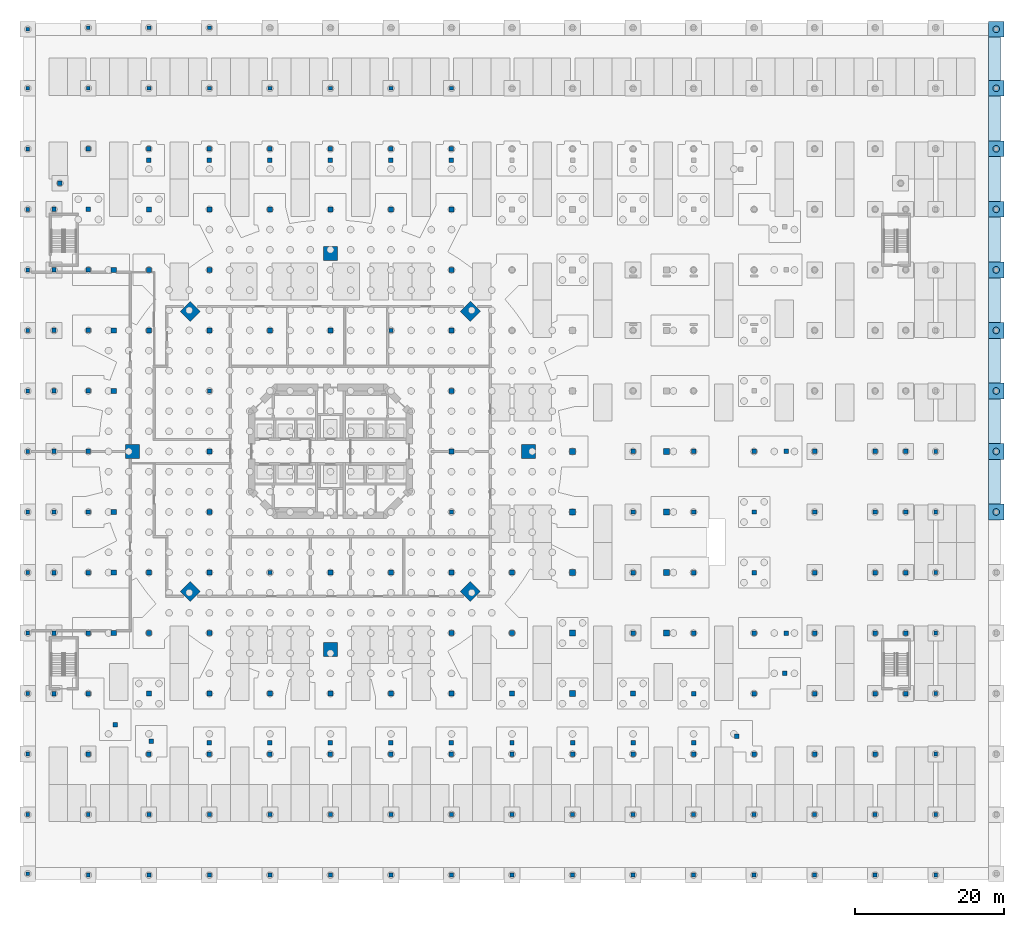
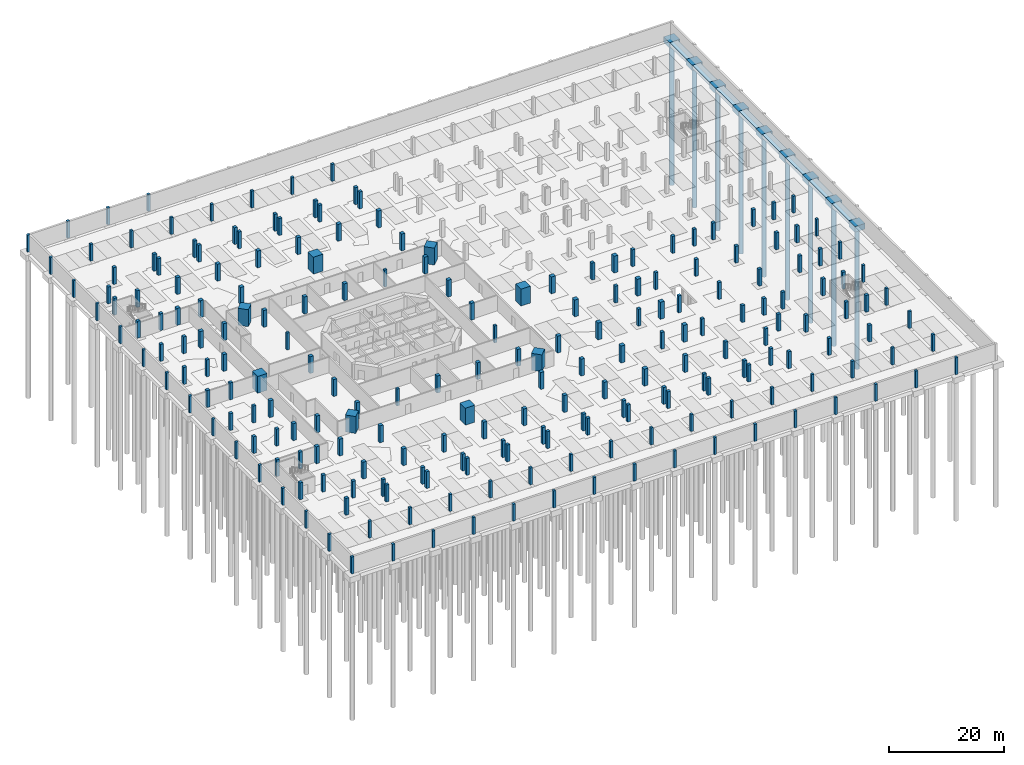
# One storey, part 8 of 23: 214 columns, 17 footings, 9 piles.
"""IFC4 building model written with IfcOpenShell, lengths in metres."""

import ifcopenshell
import ifcopenshell.guid

model = None  # the IFC model being written
_history = None  # IfcOwnerHistory: only IFC2X3 demands one
_inside = {}  # id of a spatial element -> (the spatial element, [elements in it])
_under = {}  # id of a project, library or spatial element -> (it, [spatial elements below it])
_declared = {}  # id of a project -> (the project, [libraries it declares])
_typed = {}  # id of a type object -> (the type object, [elements of that type])
_made_of = {}  # id of a material, layer set ... -> (it, [elements and type objects made of it])


def new_model(schema):
    """Start an empty IFC model of exactly this schema.

    Asked for "IFC4X3", IfcOpenShell would pick the latest addendum, in which some entities
    have other attributes; the version numbers below select the first issue.
    IFC2X3 requires an IfcOwnerHistory on every rooted entity: one is made here for all.
    """
    global model, _history
    if schema == "IFC4X3":
        model = ifcopenshell.file(schema_version=(4, 3, 0, 0))
    else:
        model = ifcopenshell.file(schema=schema)
    _inside.clear()
    _under.clear()
    _declared.clear()
    _typed.clear()
    _made_of.clear()
    _history = None
    if model.schema == "IFC2X3":
        org = make("IfcOrganization", Name="unknown")
        user = make(
            "IfcPersonAndOrganization",
            ThePerson=make("IfcPerson", FamilyName="unknown"),
            TheOrganization=org,
        )
        app = make(
            "IfcApplication",
            ApplicationDeveloper=org,
            Version="unknown",
            ApplicationFullName="unknown",
            ApplicationIdentifier="unknown",
        )
        _history = make(
            "IfcOwnerHistory",
            OwningUser=user,
            OwningApplication=app,
            ChangeAction="ADDED",
            CreationDate=0,
        )
    return model


def make(cls, **values):
    """One entity of the class cls with the attributes given. An attribute that is None is left unset."""
    return model.create_entity(
        cls, **{name: value for name, value in values.items() if value is not None}
    )


def rooted(cls, **values):
    """An entity with a GlobalId (a new one), such as an element, a storey or a relation."""
    return make(cls, GlobalId=ifcopenshell.guid.new(), OwnerHistory=_history, **values)


def si_unit(unit_type, name, prefix=None):
    """IfcSIUnit, for example si_unit("LENGTHUNIT", "METRE", prefix="MILLI")."""
    return make("IfcSIUnit", UnitType=unit_type, Prefix=prefix, Name=name)


def assignment(units):
    """IfcUnitAssignment: the units of a project."""
    return None if units is None else make("IfcUnitAssignment", Units=units)


def point(xyz):
    """IfcCartesianPoint."""
    return None if xyz is None else make("IfcCartesianPoint", Coordinates=xyz)


def direction(xyz):
    """IfcDirection."""
    return None if xyz is None else make("IfcDirection", DirectionRatios=xyz)


def frame(location, z_axis=None, x_axis=None):
    """IfcAxis2Placement3D, a coordinate frame: its origin and axes. An axis left out is left unset."""
    return make(
        "IfcAxis2Placement3D",
        Location=point(location),
        Axis=direction(z_axis),
        RefDirection=direction(x_axis),
    )


def frame_2d(location, x_axis=None):
    """IfcAxis2Placement2D, a coordinate frame in the plane: its origin and x axis."""
    return make(
        "IfcAxis2Placement2D", Location=point(location), RefDirection=direction(x_axis)
    )


def origin():
    """The frame at (0, 0, 0) with its axes left unset."""
    return frame((0.0, 0.0, 0.0))


def origin_2d():
    """The frame at (0, 0) in the plane with its x axis left unset."""
    return frame_2d((0.0, 0.0))


def place(relative_to, where):
    """IfcLocalPlacement: puts the frame where relative to a parent placement (None: the world)."""
    return make(
        "IfcLocalPlacement", PlacementRelTo=relative_to, RelativePlacement=where
    )


def context(
    kind, dimensions, precision=None, world=None, true_north=None, identifier=None
):
    """IfcGeometricRepresentationContext, for example the 3D "Model" context."""
    return make(
        "IfcGeometricRepresentationContext",
        ContextIdentifier=identifier,
        ContextType=kind,
        CoordinateSpaceDimension=dimensions,
        Precision=precision,
        WorldCoordinateSystem=world,
        TrueNorth=true_north,
    )


def subcontext(parent, identifier, kind, view, scale=None):
    """IfcGeometricRepresentationSubContext, for example "Body" below "Model"."""
    return make(
        "IfcGeometricRepresentationSubContext",
        ContextIdentifier=identifier,
        ContextType=kind,
        ParentContext=parent,
        TargetScale=scale,
        TargetView=view,
    )


def project(units=None, contexts=None):
    """IfcProject with its units and contexts."""
    return rooted(
        "IfcProject",
        Name="project",
        RepresentationContexts=contexts,
        UnitsInContext=assignment(units),
    )


def spatial(cls, under=None, at=None, **own):
    """A site, building, storey or space (cls), placed at a placement, below another one or the project."""
    s = rooted(cls, ObjectPlacement=at, **own)
    if under is not None:
        _under.setdefault(under.id(), (under, []))[1].append(s)
    return s


def polyline(points):
    """IfcPolyline through the points."""
    return make("IfcPolyline", Points=[point(p) for p in points])


def profile(cls, at=None, kind="AREA", **sizes):
    """A parametric profile (cls). Its sizes go by their IFC names, for example OverallWidth=200.0."""
    return make(cls, ProfileType=kind, Position=at, **sizes)


def rectangle(**sizes):
    """IfcRectangleProfileDef."""
    return profile("IfcRectangleProfileDef", **sizes)


def circle(**sizes):
    """IfcCircleProfileDef."""
    return profile("IfcCircleProfileDef", **sizes)


def outline(outer, holes=None, kind="AREA"):
    """IfcArbitraryClosedProfileDef: a profile drawn as a closed curve; with holes, ...WithVoids."""
    if holes is None:
        return make("IfcArbitraryClosedProfileDef", ProfileType=kind, OuterCurve=outer)
    return make(
        "IfcArbitraryProfileDefWithVoids",
        ProfileType=kind,
        OuterCurve=outer,
        InnerCurves=holes,
    )


def extrude(swept, where, along, depth):
    """IfcExtrudedAreaSolid: the profile swept, set in the frame where, extruded along a direction by depth."""
    return make(
        "IfcExtrudedAreaSolid",
        SweptArea=swept,
        Position=where,
        ExtrudedDirection=direction(along),
        Depth=depth,
    )


def shape(context_of_items, identifier, shape_type, items):
    """IfcShapeRepresentation: the items that make up one representation, for example the "Body"."""
    return make(
        "IfcShapeRepresentation",
        ContextOfItems=context_of_items,
        RepresentationIdentifier=identifier,
        RepresentationType=shape_type,
        Items=items,
    )


def material(Name=None, Category=None):
    """IfcMaterial."""
    return make("IfcMaterial", Name=Name, Category=Category)


def material_profile(
    of_material, cross_section, Name=None, Category=None, Priority=None
):
    """IfcMaterialProfile: a cross section and its material."""
    return make(
        "IfcMaterialProfile",
        Name=Name,
        Material=of_material,
        Profile=cross_section,
        Priority=Priority,
        Category=Category,
    )


def profile_set(profiles, Name=None, composite=None):
    """IfcMaterialProfileSet."""
    return make(
        "IfcMaterialProfileSet",
        Name=Name,
        MaterialProfiles=profiles,
        CompositeProfile=composite,
    )


def made_of(thing, what):
    """Note that an element or type object is made of a material, layer set ...; save() writes the relation."""
    if what is not None:
        _made_of.setdefault(what.id(), (what, []))[1].append(thing)
    return thing


def type_object(cls, material=None, **own):
    """A type object (cls), such as IfcWallType, which elements share."""
    return made_of(rooted(cls, **own), material)


def element(
    cls,
    number,
    at=None,
    inside=None,
    cuts=None,
    type_object=None,
    material=None,
    context=None,
    identifier="Body",
    shape_type=None,
    held_by="IfcProductDefinitionShape",
    body=None,
    shapes=None,
    **own,
):
    """One element of the class cls, such as IfcWall. Its Tag is "e" and its number.

    at: its placement. inside: the storey or other place that contains it. cuts: it is an
    opening in that element (IfcRelVoidsElement). A single representation is given by context,
    identifier, shape_type and body (its items); several are given by shapes. held_by: the class
    of the entity that holds the representations. save() writes the other relations.
    """
    e = rooted(cls, Tag="e%d" % number, ObjectPlacement=at, **own)
    if body is not None:
        shapes = [shape(context, identifier, shape_type, body)]
    if shapes is not None:
        e.Representation = make(held_by, Representations=shapes)
    if inside is not None:
        _inside.setdefault(inside.id(), (inside, []))[1].append(e)
    if cuts is not None:
        rooted(
            "IfcRelVoidsElement", RelatingBuildingElement=cuts, RelatedOpeningElement=e
        )
    if type_object is not None:
        _typed.setdefault(type_object.id(), (type_object, []))[1].append(e)
    return made_of(e, material)


def aggregate(whole, parts):
    """IfcRelAggregates: a whole, such as a stair, and the parts it consists of."""
    return rooted("IfcRelAggregates", RelatingObject=whole, RelatedObjects=parts)


def save(model, path):
    """Write the relations noted so far, then the file.

    IfcRelAggregates (storeys below a building ...), IfcRelContainedInSpatialStructure (elements
    in a storey), IfcRelDefinesByType, IfcRelAssociatesMaterial and IfcRelDeclares: one each for
    every whole, place, type object, material and project.
    """
    for whole, parts in _under.values():
        aggregate(whole, parts)
    for where, things in _inside.values():
        rooted(
            "IfcRelContainedInSpatialStructure",
            RelatedElements=things,
            RelatingStructure=where,
        )
    for kind, things in _typed.values():
        rooted("IfcRelDefinesByType", RelatedObjects=things, RelatingType=kind)
    for what, things in _made_of.values():
        rooted("IfcRelAssociatesMaterial", RelatedObjects=things, RelatingMaterial=what)
    for by, libraries in _declared.values():
        rooted("IfcRelDeclares", RelatingContext=by, RelatedDefinitions=libraries)
    model.write(path)


model = new_model("IFC4")

# Units and contexts
model_context = context("Model", 3, precision=1e-05, world=origin(), true_north=direction((0.0, 1.0)))
body_context = subcontext(model_context, "Body", "Model", "MODEL_VIEW")
ifc_project = project(units=[si_unit("LENGTHUNIT", "METRE"), si_unit("AREAUNIT", "SQUARE_METRE"), si_unit("VOLUMEUNIT", "CUBIC_METRE"), si_unit("PLANEANGLEUNIT", "RADIAN"), si_unit("MASSUNIT", "GRAM", prefix="KILO")], contexts=[model_context])

# Site, building, storey
site_placement = place(None, origin())
site = spatial("IfcSite", under=ifc_project, at=site_placement, CompositionType="ELEMENT")
building_placement = place(site_placement, origin())
building = spatial("IfcBuilding", under=site, at=building_placement, Name="Torre Triforio", CompositionType="ELEMENT")
storey_placement = place(building_placement, frame((0.0, 0.0, -10.800048828125)))
storey = spatial("IfcBuildingStorey", under=building, at=storey_placement, Name="B3", CompositionType="ELEMENT", Elevation=-10.800048828125)

# Piles
ifc_material_1 = material(Name="Concrete C35", Category="concrete")
ifc_material_profile_1 = material_profile(ifc_material_1, circle(Radius=0.449951171875, at=origin_2d()), Name="RC D900")
ifc_profile_set_1 = profile_set([ifc_material_profile_1], Name="Concrete C35")
pile_type = type_object("IfcPileType", Name="Bored pile D900 C35", PredefinedType="BORED", material=ifc_profile_set_1)
for number, where, z_axis, x_axis, name in (
    (1, (89.10009765625, -8.10009765625, -1.099853515625), (0.0, 0.0, -1.0), (1.0, 0.0, 0.0), "PL.PC.097.1"),
    (2, (89.10009765625, 0.0, -1.099853515625), (0.0, 0.0, -1.0), (1.0, 0.0, 0.0), "PL.PC.107.1"),
    (3, (89.10009765625, 8.10009765625, -1.099853515625), (0.0, 0.0, -1.0), (1.0, 0.0, 0.0), "PL.PC.117.1"),
    (4, (89.10009765625, 16.199951171875, -1.099853515625), (0.0, 0.0, -1.0), (1.0, 0.0, 0.0), "PL.PC.127.1"),
    (5, (89.10009765625, 24.300048828125, -1.099853515625), (0.0, 0.0, -1.0), (1.0, 0.0, 0.0), "PL.PC.139.1"),
    (6, (89.10009765625, 32.39990234375, -1.099853515625), (0.0, 0.0, -1.0), (1.0, 0.0, 0.0), "PL.PC.153.1"),
    (7, (89.10009765625, 40.5, -1.099853515625), (0.0, 0.0, -1.0), (1.0, 0.0, 0.0), "PL.PC.172.1"),
    (8, (89.10009765625, 48.60009765625, -1.099853515625), (0.0, 0.0, -1.0), (1.0, 0.0, 0.0), "PL.PC.189.1"),
    (9, (89.10009765625, 56.5, -1.099853515625), (0.0, 0.0, -1.0), (1.0, 0.0, 0.0), "PL.PC.191.1"),
):
    element("IfcPile", number, at=place(storey_placement, frame(where, z_axis=z_axis, x_axis=x_axis)), inside=storey, type_object=pile_type, Name=name, PredefinedType="BORED", context=body_context, shape_type="SweptSolid", body=[
        extrude(circle(Radius=0.449951171875, at=origin_2d()), origin(), (0.0, 0.0, 1.0), 30.0),
    ])

# Footings
ifc_material_2 = material(Name="Concrete C50", Category="concrete")
footing_type_1 = type_object("IfcFootingType", Name="Pile cap single pile 2100 1200 C50", PredefinedType="PILE_CAP", material=ifc_material_2)
for number, where, z_axis, x_axis, name in (
    (10, (89.10009765625, -8.10009765625, -1.19970703125), (0.0, 0.0, 1.0), (1.0, 0.0, 0.0), "FT.PC.097"),
    (11, (89.10009765625, 0.0, -1.19970703125), (0.0, 0.0, 1.0), (1.0, 0.0, 0.0), "FT.PC.107"),
    (12, (89.10009765625, 8.10009765625, -1.19970703125), (0.0, 0.0, 1.0), (1.0, 0.0, 0.0), "FT.PC.117"),
    (13, (89.10009765625, 16.199951171875, -1.19970703125), (0.0, 0.0, 1.0), (1.0, 0.0, 0.0), "FT.PC.127"),
    (14, (89.10009765625, 24.300048828125, -1.19970703125), (0.0, 0.0, 1.0), (1.0, 0.0, 0.0), "FT.PC.139"),
    (15, (89.10009765625, 32.39990234375, -1.19970703125), (0.0, 0.0, 1.0), (1.0, 0.0, 0.0), "FT.PC.153"),
    (16, (89.10009765625, 40.5, -1.19970703125), (0.0, 0.0, 1.0), (1.0, 0.0, 0.0), "FT.PC.172"),
    (17, (89.10009765625, 48.60009765625, -1.19970703125), (0.0, 0.0, 1.0), (1.0, 0.0, 0.0), "FT.PC.189"),
    (18, (89.10009765625, 56.5, -1.19970703125), (0.0, 0.0, 1.0), (1.0, 0.0, 0.0), "FT.PC.191"),
):
    element("IfcFooting", number, at=place(storey_placement, frame(where, z_axis=z_axis, x_axis=x_axis)), inside=storey, type_object=footing_type_1, Name=name, PredefinedType="PILE_CAP", context=body_context, shape_type="SweptSolid", body=[
        extrude(rectangle(XDim=2.10009765625, YDim=2.10009765625, at=origin_2d()), origin(), (0.0, 0.0, 1.0), 1.199951171875),
    ])
ifc_material_3 = material(Name="Concrete C40", Category="concrete")
footing_type_2 = type_object("IfcFootingType", Name="Strip footing 1600 800 C40", PredefinedType="STRIP_FOOTING", material=ifc_material_3)
footing_1_placement = place(storey_placement, frame((0.0, 0.0, -0.800048828125)))
element("IfcFooting", 19, at=footing_1_placement, inside=storey, type_object=footing_type_2, Name="FT.STRIP.17", PredefinedType="STRIP_FOOTING", context=body_context, shape_type="SweptSolid", body=[
    extrude(outline(polyline([(89.699951171875, 33.449951171875), (89.699951171875, 39.449951171875), (88.10009765625, 39.449951171875), (88.10009765625, 33.449951171875), (89.699951171875, 33.449951171875)])), origin(), (0.0, 0.0, 1.0), 0.800048828125),
])
footing_2_placement = place(storey_placement, frame((0.0, 0.0, -0.800048828125)))
element("IfcFooting", 20, at=footing_2_placement, inside=storey, type_object=footing_type_2, Name="FT.STRIP.18", PredefinedType="STRIP_FOOTING", context=body_context, shape_type="SweptSolid", body=[
    extrude(outline(polyline([(89.699951171875, 41.550048828125), (89.699951171875, 47.550048828125), (88.10009765625, 47.550048828125), (88.10009765625, 41.550048828125), (89.699951171875, 41.550048828125)])), origin(), (0.0, 0.0, 1.0), 0.800048828125),
])
footing_3_placement = place(storey_placement, frame((0.0, 0.0, -0.800048828125)))
element("IfcFooting", 21, at=footing_3_placement, inside=storey, type_object=footing_type_2, Name="FT.STRIP.38", PredefinedType="STRIP_FOOTING", context=body_context, shape_type="SweptSolid", body=[
    extrude(outline(polyline([(89.699951171875, -7.050048828125), (89.699951171875, -1.050048828125), (88.10009765625, -1.050048828125), (88.10009765625, -7.050048828125), (89.699951171875, -7.050048828125)])), origin(), (0.0, 0.0, 1.0), 0.800048828125),
])
footing_4_placement = place(storey_placement, frame((0.0, 0.0, -0.800048828125)))
element("IfcFooting", 22, at=footing_4_placement, inside=storey, type_object=footing_type_2, Name="FT.STRIP.39", PredefinedType="STRIP_FOOTING", context=body_context, shape_type="SweptSolid", body=[
    extrude(outline(polyline([(89.699951171875, 1.050048828125), (89.699951171875, 7.050048828125), (88.10009765625, 7.050048828125), (88.10009765625, 1.050048828125), (89.699951171875, 1.050048828125)])), origin(), (0.0, 0.0, 1.0), 0.800048828125),
])
footing_5_placement = place(storey_placement, frame((0.0, 0.0, -0.800048828125)))
element("IfcFooting", 23, at=footing_5_placement, inside=storey, type_object=footing_type_2, Name="FT.STRIP.40", PredefinedType="STRIP_FOOTING", context=body_context, shape_type="SweptSolid", body=[
    extrude(outline(polyline([(89.699951171875, 17.25), (89.699951171875, 23.25), (88.10009765625, 23.25), (88.10009765625, 17.25), (89.699951171875, 17.25)])), origin(), (0.0, 0.0, 1.0), 0.800048828125),
])
footing_6_placement = place(storey_placement, frame((0.0, 0.0, -0.800048828125)))
element("IfcFooting", 24, at=footing_6_placement, inside=storey, type_object=footing_type_2, Name="FT.STRIP.48", PredefinedType="STRIP_FOOTING", context=body_context, shape_type="SweptSolid", body=[
    extrude(outline(polyline([(89.699951171875, 9.14990234375), (89.699951171875, 15.14990234375), (88.10009765625, 15.14990234375), (88.10009765625, 9.14990234375), (89.699951171875, 9.14990234375)])), origin(), (0.0, 0.0, 1.0), 0.800048828125),
])
footing_7_placement = place(storey_placement, frame((0.0, 0.0, -0.800048828125)))
element("IfcFooting", 25, at=footing_7_placement, inside=storey, type_object=footing_type_2, Name="FT.STRIP.56", PredefinedType="STRIP_FOOTING", context=body_context, shape_type="SweptSolid", body=[
    extrude(outline(polyline([(89.699951171875, 25.35009765625), (89.699951171875, 31.35009765625), (88.10009765625, 31.35009765625), (88.10009765625, 25.35009765625), (89.699951171875, 25.35009765625)])), origin(), (0.0, 0.0, 1.0), 0.800048828125),
])
footing_8_placement = place(storey_placement, frame((0.0, 0.0, -0.800048828125)))
element("IfcFooting", 26, at=footing_8_placement, inside=storey, type_object=footing_type_2, Name="FT.STRIP.60", PredefinedType="STRIP_FOOTING", context=body_context, shape_type="SweptSolid", body=[
    extrude(outline(polyline([(89.699951171875, 49.64990234375), (89.699951171875, 55.449951171875), (88.10009765625, 55.449951171875), (88.10009765625, 49.64990234375), (89.699951171875, 49.64990234375)])), origin(), (0.0, 0.0, 1.0), 0.800048828125),
])

# Columns
ifc_material_profile_2 = material_profile(ifc_material_2, rectangle(XDim=0.5, YDim=0.5, at=origin_2d()), Name="RC 500x500")
ifc_profile_set_2 = profile_set([ifc_material_profile_2], Name="Concrete C50")
column_type_1 = type_object("IfcColumnType", Name="Column RC 500x500 C50", PredefinedType="COLUMN", material=ifc_profile_set_2)
for number, where, z_axis, x_axis, name in (
    (27, (-40.5, -56.5, 0.0), (0.0, 0.0, 1.0), (1.0, 0.0, 0.0), "COL.G.B3.1-A"),
    (28, (-40.5, -48.60009765625, 0.0), (0.0, 0.0, 1.0), (1.0, 0.0, 0.0), "COL.G.B3.1-B"),
    (29, (-40.5, -40.5, 0.0), (0.0, 0.0, 1.0), (1.0, 0.0, 0.0), "COL.G.B3.1-C"),
    (30, (-40.5, -32.39990234375, 0.0), (0.0, 0.0, 1.0), (1.0, 0.0, 0.0), "COL.G.B3.1-D"),
    (31, (-40.5, -24.300048828125, 0.0), (0.0, 0.0, 1.0), (1.0, 0.0, 0.0), "COL.G.B3.1-E"),
    (32, (-40.5, -16.199951171875, 0.0), (0.0, 0.0, 1.0), (1.0, 0.0, 0.0), "COL.G.B3.1-F"),
    (33, (-40.5, -8.10009765625, 0.0), (0.0, 0.0, 1.0), (1.0, 0.0, 0.0), "COL.G.B3.1-G"),
    (34, (-40.5, 0.0, 0.0), (0.0, 0.0, 1.0), (1.0, 0.0, 0.0), "COL.G.B3.1-H"),
    (35, (-40.5, 8.10009765625, 0.0), (0.0, 0.0, 1.0), (1.0, 0.0, 0.0), "COL.G.B3.1-I"),
    (36, (-40.5, 16.199951171875, 0.0), (0.0, 0.0, 1.0), (1.0, 0.0, 0.0), "COL.G.B3.1-J"),
    (37, (-40.5, 24.300048828125, 0.0), (0.0, 0.0, 1.0), (1.0, 0.0, 0.0), "COL.G.B3.1-K"),
    (38, (-40.5, 32.39990234375, 0.0), (0.0, 0.0, 1.0), (1.0, 0.0, 0.0), "COL.G.B3.1-L"),
    (39, (-40.5, 40.5, 0.0), (0.0, 0.0, 1.0), (1.0, 0.0, 0.0), "COL.G.B3.1-M"),
    (40, (-40.5, 48.60009765625, 0.0), (0.0, 0.0, 1.0), (1.0, 0.0, 0.0), "COL.G.B3.1-N"),
    (41, (-40.5, 56.5, 0.0), (0.0, 0.0, 1.0), (1.0, 0.0, 0.0), "COL.G.B3.1-O"),
    (42, (-32.39990234375, -56.699951171875, 0.0), (0.0, 0.0, 1.0), (1.0, 0.0, 0.0), "COL.G.B3.2-A"),
    (43, (-32.39990234375, -48.60009765625, 0.0), (0.0, 0.0, 1.0), (1.0, 0.0, 0.0), "COL.G.B3.2-B"),
    (44, (-32.39990234375, 48.60009765625, 0.0), (0.0, 0.0, 1.0), (1.0, 0.0, 0.0), "COL.G.B3.2-N"),
    (45, (-32.39990234375, 56.699951171875, 0.0), (0.0, 0.0, 1.0), (1.0, 0.0, 0.0), "COL.G.B3.2-O"),
    (46, (-24.300048828125, -56.699951171875, 0.0), (0.0, 0.0, 1.0), (1.0, 0.0, 0.0), "COL.G.B3.3-A"),
    (47, (-24.300048828125, -48.60009765625, 0.0), (0.0, 0.0, 1.0), (1.0, 0.0, 0.0), "COL.G.B3.3-B"),
    (48, (-24.300048828125, 48.60009765625, 0.0), (0.0, 0.0, 1.0), (1.0, 0.0, 0.0), "COL.G.B3.3-N"),
    (49, (-24.300048828125, 56.699951171875, 0.0), (0.0, 0.0, 1.0), (1.0, 0.0, 0.0), "COL.G.B3.3-O"),
    (50, (-16.199951171875, -56.699951171875, 0.0), (0.0, 0.0, 1.0), (1.0, 0.0, 0.0), "COL.G.B3.4-A"),
    (51, (-16.199951171875, -48.60009765625, 0.0), (0.0, 0.0, 1.0), (1.0, 0.0, 0.0), "COL.G.B3.4-B"),
    (52, (-16.199951171875, 8.10009765625, 0.0), (0.0, 0.0, 1.0), (1.0, 0.0, 0.0), "COL.G.B3.4-I"),
    (53, (-16.199951171875, 48.60009765625, 0.0), (0.0, 0.0, 1.0), (1.0, 0.0, 0.0), "COL.G.B3.4-N"),
    (54, (-16.199951171875, 56.699951171875, 0.0), (0.0, 0.0, 1.0), (1.0, 0.0, 0.0), "COL.G.B3.4-O"),
    (55, (-8.10009765625, -56.699951171875, 0.0), (0.0, 0.0, 1.0), (1.0, 0.0, 0.0), "COL.G.B3.5-A"),
    (56, (-8.10009765625, -48.60009765625, 0.0), (0.0, 0.0, 1.0), (1.0, 0.0, 0.0), "COL.G.B3.5-B"),
    (57, (-8.10009765625, -16.199951171875, 0.0), (0.0, 0.0, 1.0), (1.0, 0.0, 0.0), "COL.G.B3.5-F"),
    (58, (-8.10009765625, 48.60009765625, 0.0), (0.0, 0.0, 1.0), (1.0, 0.0, 0.0), "COL.G.B3.5-N"),
    (59, (0.0, -56.699951171875, 0.0), (0.0, 0.0, 1.0), (1.0, 0.0, 0.0), "COL.G.B3.6-A"),
    (60, (0.0, -48.60009765625, 0.0), (0.0, 0.0, 1.0), (1.0, 0.0, 0.0), "COL.G.B3.6-B"),
    (61, (0.0, 48.60009765625, 0.0), (0.0, 0.0, 1.0), (1.0, 0.0, 0.0), "COL.G.B3.6-N"),
    (62, (8.10009765625, -56.699951171875, 0.0), (0.0, 0.0, 1.0), (1.0, 0.0, 0.0), "COL.G.B3.7-A"),
    (63, (8.10009765625, -48.60009765625, 0.0), (0.0, 0.0, 1.0), (1.0, 0.0, 0.0), "COL.G.B3.7-B"),
    (64, (8.10009765625, 16.199951171875, 0.0), (0.0, 0.0, 1.0), (1.0, 0.0, 0.0), "COL.G.B3.7-J"),
    (65, (8.10009765625, 48.60009765625, 0.0), (0.0, 0.0, 1.0), (1.0, 0.0, 0.0), "COL.G.B3.7-N"),
    (66, (16.199951171875, -56.699951171875, 0.0), (0.0, 0.0, 1.0), (1.0, 0.0, 0.0), "COL.G.B3.8-A"),
    (67, (16.199951171875, -48.60009765625, 0.0), (0.0, 0.0, 1.0), (1.0, 0.0, 0.0), "COL.G.B3.8-B"),
    (68, (16.199951171875, -8.10009765625, 0.0), (0.0, 0.0, 1.0), (1.0, 0.0, 0.0), "COL.G.B3.8-G"),
    (69, (16.199951171875, 48.60009765625, 0.0), (0.0, 0.0, 1.0), (1.0, 0.0, 0.0), "COL.G.B3.8-N"),
    (70, (24.300048828125, -56.699951171875, 0.0), (0.0, 0.0, 1.0), (1.0, 0.0, 0.0), "COL.G.B3.9-A"),
    (71, (24.300048828125, -48.60009765625, 0.0), (0.0, 0.0, 1.0), (1.0, 0.0, 0.0), "COL.G.B3.9-B"),
    (72, (32.39990234375, -56.699951171875, 0.0), (0.0, 0.0, 1.0), (1.0, 0.0, 0.0), "COL.G.B3.10-A"),
    (73, (32.39990234375, -48.60009765625, 0.0), (0.0, 0.0, 1.0), (1.0, 0.0, 0.0), "COL.G.B3.10-B"),
    (74, (40.5, -56.699951171875, 0.0), (0.0, 0.0, 1.0), (1.0, 0.0, 0.0), "COL.G.B3.11-A"),
    (75, (40.5, -48.60009765625, 0.0), (0.0, 0.0, 1.0), (1.0, 0.0, 0.0), "COL.G.B3.11-B"),
    (76, (48.60009765625, -56.699951171875, 0.0), (0.0, 0.0, 1.0), (1.0, 0.0, 0.0), "COL.G.B3.12-A"),
    (77, (48.60009765625, -48.60009765625, 0.0), (0.0, 0.0, 1.0), (1.0, 0.0, 0.0), "COL.G.B3.12-B"),
    (78, (56.699951171875, -56.699951171875, 0.0), (0.0, 0.0, 1.0), (1.0, 0.0, 0.0), "COL.G.B3.13-A"),
    (79, (56.699951171875, -48.60009765625, 0.0), (0.0, 0.0, 1.0), (1.0, 0.0, 0.0), "COL.G.B3.13-B"),
    (80, (64.800048828125, -56.699951171875, 0.0), (0.0, 0.0, 1.0), (1.0, 0.0, 0.0), "COL.G.B3.14-A"),
    (81, (64.800048828125, -48.60009765625, 0.0), (0.0, 0.0, 1.0), (1.0, 0.0, 0.0), "COL.G.B3.14-B"),
    (82, (72.89990234375, -56.699951171875, 0.0), (0.0, 0.0, 1.0), (1.0, 0.0, 0.0), "COL.G.B3.15-A"),
    (83, (72.89990234375, -48.60009765625, 0.0), (0.0, 0.0, 1.0), (1.0, 0.0, 0.0), "COL.G.B3.15-B"),
    (84, (81.0, -56.699951171875, 0.0), (0.0, 0.0, 1.0), (1.0, 0.0, 0.0), "COL.G.B3.16-A"),
    (85, (81.0, -48.60009765625, 0.0), (0.0, 0.0, 1.0), (1.0, 0.0, 0.0), "COL.G.B3.16-B"),
    (86, (81.0, -40.5, 0.0), (0.0, 0.0, 1.0), (1.0, 0.0, 0.0), "COL.G.B3.16-C"),
    (87, (81.0, -32.39990234375, 0.0), (0.0, 0.0, 1.0), (1.0, 0.0, 0.0), "COL.G.B3.16-D"),
    (88, (81.0, -24.300048828125, 0.0), (0.0, 0.0, 1.0), (1.0, 0.0, 0.0), "COL.G.B3.16-E"),
    (89, (81.0, -16.199951171875, 0.0), (0.0, 0.0, 1.0), (1.0, 0.0, 0.0), "COL.G.B3.16-F"),
    (90, (81.0, -8.10009765625, 0.0), (0.0, 0.0, 1.0), (1.0, 0.0, 0.0), "COL.G.B3.16-G"),
    (91, (81.0, 0.0, 0.0), (0.0, 0.0, 1.0), (1.0, 0.0, 0.0), "COL.G.B3.16-H"),
):
    element("IfcColumn", number, at=place(storey_placement, frame(where, z_axis=z_axis, x_axis=x_axis)), inside=storey, type_object=column_type_1, Name=name, PredefinedType="COLUMN", context=body_context, shape_type="SweptSolid", body=[
        extrude(rectangle(XDim=0.5, YDim=0.5, at=origin_2d()), origin(), (0.0, 0.0, 1.0), 3.60009765625),
    ])
ifc_material_profile_3 = material_profile(ifc_material_2, rectangle(XDim=0.60009765625, YDim=0.60009765625, at=origin_2d()), Name="RC 600x600")
ifc_profile_set_3 = profile_set([ifc_material_profile_3], Name="Concrete C50")
column_type_2 = type_object("IfcColumnType", Name="Column RC 600x600 C50", PredefinedType="COLUMN", material=ifc_profile_set_3)
for number, where, z_axis, x_axis, name in (
    (92, (-32.39990234375, -40.5, 0.0), (0.0, 0.0, 1.0), (1.0, 0.0, 0.0), "COL.G.B3.2-C"),
    (93, (-32.39990234375, -32.39990234375, 0.0), (0.0, 0.0, 1.0), (1.0, 0.0, 0.0), "COL.G.B3.2-D"),
    (94, (-32.39990234375, -24.300048828125, 0.0), (0.0, 0.0, 1.0), (1.0, 0.0, 0.0), "COL.G.B3.2-E"),
    (95, (-32.39990234375, -16.199951171875, 0.0), (0.0, 0.0, 1.0), (1.0, 0.0, 0.0), "COL.G.B3.2-F"),
    (96, (-32.39990234375, -8.10009765625, 0.0), (0.0, 0.0, 1.0), (1.0, 0.0, 0.0), "COL.G.B3.2-G"),
    (97, (-32.39990234375, 0.0, 0.0), (0.0, 0.0, 1.0), (1.0, 0.0, 0.0), "COL.G.B3.2-H"),
    (98, (-32.39990234375, 8.10009765625, 0.0), (0.0, 0.0, 1.0), (1.0, 0.0, 0.0), "COL.G.B3.2-I"),
    (99, (-32.39990234375, 16.199951171875, 0.0), (0.0, 0.0, 1.0), (1.0, 0.0, 0.0), "COL.G.B3.2-J"),
    (100, (-32.39990234375, 24.300048828125, 0.0), (0.0, 0.0, 1.0), (1.0, 0.0, 0.0), "COL.G.B3.2-K"),
    (101, (-32.39990234375, 32.39990234375, 0.0), (0.0, 0.0, 1.0), (1.0, 0.0, 0.0), "COL.G.B3.2-L"),
    (102, (-32.39990234375, 40.5, 0.0), (0.0, 0.0, 1.0), (1.0, 0.0, 0.0), "COL.G.B3.2-M"),
    (103, (-24.300048828125, -40.5, 0.0), (0.0, 0.0, 1.0), (1.0, 0.0, 0.0), "COL.G.B3.3-C"),
    (104, (-24.300048828125, 40.5, 0.0), (0.0, 0.0, 1.0), (1.0, 0.0, 0.0), "COL.G.B3.3-M"),
    (105, (-16.199951171875, -40.5, 0.0), (0.0, 0.0, 1.0), (1.0, 0.0, 0.0), "COL.G.B3.4-C"),
    (106, (-16.199951171875, 40.5, 0.0), (0.0, 0.0, 1.0), (1.0, 0.0, 0.0), "COL.G.B3.4-M"),
    (107, (-8.10009765625, -40.5, 0.0), (0.0, 0.0, 1.0), (1.0, 0.0, 0.0), "COL.G.B3.5-C"),
    (108, (-8.10009765625, 40.5, 0.0), (0.0, 0.0, 1.0), (1.0, 0.0, 0.0), "COL.G.B3.5-M"),
    (109, (0.0, -40.5, 0.0), (0.0, 0.0, 1.0), (1.0, 0.0, 0.0), "COL.G.B3.6-C"),
    (110, (0.0, 40.5, 0.0), (0.0, 0.0, 1.0), (1.0, 0.0, 0.0), "COL.G.B3.6-M"),
    (111, (8.10009765625, -40.5, 0.0), (0.0, 0.0, 1.0), (1.0, 0.0, 0.0), "COL.G.B3.7-C"),
    (112, (8.10009765625, 40.5, 0.0), (0.0, 0.0, 1.0), (1.0, 0.0, 0.0), "COL.G.B3.7-M"),
    (113, (16.199951171875, -40.5, 0.0), (0.0, 0.0, 1.0), (1.0, 0.0, 0.0), "COL.G.B3.8-C"),
    (114, (16.199951171875, 40.5, 0.0), (0.0, 0.0, 1.0), (1.0, 0.0, 0.0), "COL.G.B3.8-M"),
    (115, (24.300048828125, -40.5, 0.0), (0.0, 0.0, 1.0), (1.0, 0.0, 0.0), "COL.G.B3.9-C"),
    (116, (32.39990234375, -40.5, 0.0), (0.0, 0.0, 1.0), (1.0, 0.0, 0.0), "COL.G.B3.10-C"),
    (117, (40.5, -40.5, 0.0), (0.0, 0.0, 1.0), (1.0, 0.0, 0.0), "COL.G.B3.11-C"),
    (118, (40.5, -24.300048828125, 0.0), (0.0, 0.0, 1.0), (1.0, 0.0, 0.0), "COL.G.B3.11-E"),
    (119, (40.5, -16.199951171875, 0.0), (0.0, 0.0, 1.0), (1.0, 0.0, 0.0), "COL.G.B3.11-F"),
    (120, (40.5, -8.10009765625, 0.0), (0.0, 0.0, 1.0), (1.0, 0.0, 0.0), "COL.G.B3.11-G"),
    (121, (40.5, 0.0, 0.0), (0.0, 0.0, 1.0), (1.0, 0.0, 0.0), "COL.G.B3.11-H"),
    (122, (48.60009765625, -40.5, 0.0), (0.0, 0.0, 1.0), (1.0, 0.0, 0.0), "COL.G.B3.12-C"),
    (123, (48.60009765625, -32.39990234375, 0.0), (0.0, 0.0, 1.0), (1.0, 0.0, 0.0), "COL.G.B3.12-D"),
    (124, (48.60009765625, -24.300048828125, 0.0), (0.0, 0.0, 1.0), (1.0, 0.0, 0.0), "COL.G.B3.12-E"),
    (125, (48.60009765625, -16.199951171875, 0.0), (0.0, 0.0, 1.0), (1.0, 0.0, 0.0), "COL.G.B3.12-F"),
    (126, (48.60009765625, -8.10009765625, 0.0), (0.0, 0.0, 1.0), (1.0, 0.0, 0.0), "COL.G.B3.12-G"),
    (127, (48.60009765625, 0.0, 0.0), (0.0, 0.0, 1.0), (1.0, 0.0, 0.0), "COL.G.B3.12-H"),
    (128, (56.699951171875, -40.5, 0.0), (0.0, 0.0, 1.0), (1.0, 0.0, 0.0), "COL.G.B3.13-C"),
    (129, (56.699951171875, -32.39990234375, 0.0), (0.0, 0.0, 1.0), (1.0, 0.0, 0.0), "COL.G.B3.13-D"),
    (130, (56.699951171875, -24.300048828125, 0.0), (0.0, 0.0, 1.0), (1.0, 0.0, 0.0), "COL.G.B3.13-E"),
    (131, (56.699951171875, -16.199951171875, 0.0), (0.0, 0.0, 1.0), (1.0, 0.0, 0.0), "COL.G.B3.13-F"),
    (132, (56.699951171875, -8.10009765625, 0.0), (0.0, 0.0, 1.0), (1.0, 0.0, 0.0), "COL.G.B3.13-G"),
    (133, (56.699951171875, 0.0, 0.0), (0.0, 0.0, 1.0), (1.0, 0.0, 0.0), "COL.G.B3.13-H"),
    (134, (64.800048828125, -40.5, 0.0), (0.0, 0.0, 1.0), (1.0, 0.0, 0.0), "COL.G.B3.14-C"),
    (135, (64.800048828125, -32.39990234375, 0.0), (0.0, 0.0, 1.0), (1.0, 0.0, 0.0), "COL.G.B3.14-D"),
    (136, (64.800048828125, -24.300048828125, 0.0), (0.0, 0.0, 1.0), (1.0, 0.0, 0.0), "COL.G.B3.14-E"),
    (137, (64.800048828125, -16.199951171875, 0.0), (0.0, 0.0, 1.0), (1.0, 0.0, 0.0), "COL.G.B3.14-F"),
    (138, (64.800048828125, -8.10009765625, 0.0), (0.0, 0.0, 1.0), (1.0, 0.0, 0.0), "COL.G.B3.14-G"),
    (139, (64.800048828125, 0.0, 0.0), (0.0, 0.0, 1.0), (1.0, 0.0, 0.0), "COL.G.B3.14-H"),
    (140, (72.89990234375, -40.5, 0.0), (0.0, 0.0, 1.0), (1.0, 0.0, 0.0), "COL.G.B3.15-C"),
    (141, (72.89990234375, -32.39990234375, 0.0), (0.0, 0.0, 1.0), (1.0, 0.0, 0.0), "COL.G.B3.15-D"),
    (142, (72.89990234375, -24.300048828125, 0.0), (0.0, 0.0, 1.0), (1.0, 0.0, 0.0), "COL.G.B3.15-E"),
    (143, (72.89990234375, -16.199951171875, 0.0), (0.0, 0.0, 1.0), (1.0, 0.0, 0.0), "COL.G.B3.15-F"),
    (144, (72.89990234375, -8.10009765625, 0.0), (0.0, 0.0, 1.0), (1.0, 0.0, 0.0), "COL.G.B3.15-G"),
    (145, (72.89990234375, 0.0, 0.0), (0.0, 0.0, 1.0), (1.0, 0.0, 0.0), "COL.G.B3.15-H"),
    (146, (0.0, -39.0, 0.0), (0.0, 0.0, 1.0), (1.0, 0.0, 0.0), "COL.E.B3.ED-07"),
    (147, (-8.10009765625, -39.0, 0.0), (0.0, 0.0, 1.0), (1.0, 0.0, 0.0), "COL.E.B3.ED-09"),
    (148, (8.10009765625, -39.0, 0.0), (0.0, 0.0, 1.0), (1.0, 0.0, 0.0), "COL.E.B3.ED-11"),
    (149, (-16.199951171875, -39.0, 0.0), (0.0, 0.0, 1.0), (1.0, 0.0, 0.0), "COL.E.B3.ED-12"),
    (150, (-24.300048828125, 39.0, 0.0), (0.0, 0.0, 1.0), (1.0, 0.0, 0.0), "COL.E.B3.ED-14"),
    (151, (16.199951171875, -39.0, 0.0), (0.0, 0.0, 1.0), (1.0, 0.0, 0.0), "COL.E.B3.ED-15"),
    (152, (-16.199951171875, 39.0, 0.0), (0.0, 0.0, 1.0), (1.0, 0.0, 0.0), "COL.E.B3.ED-17"),
    (153, (24.300048828125, -39.0, 0.0), (0.0, 0.0, 1.0), (1.0, 0.0, 0.0), "COL.E.B3.ED-18"),
    (154, (16.199951171875, 39.0, 0.0), (0.0, 0.0, 1.0), (1.0, 0.0, 0.0), "COL.E.B3.ED-19"),
    (155, (-8.10009765625, 39.0, 0.0), (0.0, 0.0, 1.0), (1.0, 0.0, 0.0), "COL.E.B3.ED-20"),
    (156, (48.60009765625, -39.0, 0.0), (0.0, 0.0, 1.0), (1.0, 0.0, 0.0), "COL.E.B3.ED-21"),
    (157, (32.39990234375, -39.0, 0.0), (0.0, 0.0, 1.0), (1.0, 0.0, 0.0), "COL.E.B3.ED-22"),
    (158, (8.10009765625, 39.0, 0.0), (0.0, 0.0, 1.0), (1.0, 0.0, 0.0), "COL.E.B3.ED-23"),
    (159, (0.0, 39.0, 0.0), (0.0, 0.0, 1.0), (1.0, 0.0, 0.0), "COL.E.B3.ED-24"),
    (160, (40.5, -39.0, 0.0), (0.0, 0.0, 1.0), (1.0, 0.0, 0.0), "COL.E.B3.ED-25"),
    (161, (-24.0, -38.800048828125, 0.0), (0.0, 0.0, 1.0), (1.0, 0.0, 0.0), "COL.E.B3.ED-26"),
    (162, (61.0, 0.0, 0.0), (0.0, 0.0, 1.0), (1.0, 0.0, 0.0), "COL.E.B3.ED-28"),
    (163, (61.0, -24.300048828125, 0.0), (0.0, 0.0, 1.0), (1.0, 0.0, 0.0), "COL.E.B3.ED-30"),
    (164, (54.39990234375, -38.10009765625, 0.0), (0.0, 0.0, 1.0), (1.0, 0.0, 0.0), "COL.E.B3.ED-31"),
    (165, (-28.800048828125, -36.60009765625, 0.0), (0.0, 0.0, 1.0), (1.0, 0.0, 0.0), "COL.E.B3.ED-32"),
    (166, (60.800048828125, -29.699951171875, 0.0), (0.0, 0.0, 1.0), (1.0, 0.0, 0.0), "COL.E.B3.ED-33"),
    (167, (-37.0, 24.300048828125, 0.0), (0.0, 0.0, 1.0), (1.0, 0.0, 0.0), "COL.E.B3.ED-35"),
    (168, (-37.0, 16.199951171875, 0.0), (0.0, 0.0, 1.0), (1.0, 0.0, 0.0), "COL.E.B3.ED-36"),
    (169, (-37.0, 8.10009765625, 0.0), (0.0, 0.0, 1.0), (1.0, 0.0, 0.0), "COL.E.B3.ED-37"),
    (170, (-37.0, 0.0, 0.0), (0.0, 0.0, 1.0), (1.0, 0.0, 0.0), "COL.E.B3.ED-38"),
    (171, (-37.0, -32.39990234375, 0.0), (0.0, 0.0, 1.0), (1.0, 0.0, 0.0), "COL.E.B3.ED-39"),
    (172, (-37.0, -8.10009765625, 0.0), (0.0, 0.0, 1.0), (1.0, 0.0, 0.0), "COL.E.B3.ED-40"),
    (173, (-37.0, -24.300048828125, 0.0), (0.0, 0.0, 1.0), (1.0, 0.0, 0.0), "COL.E.B3.ED-41"),
    (174, (77.0, 0.0, 0.0), (0.0, 0.0, 1.0), (1.0, 0.0, 0.0), "COL.E.B3.ED-45"),
    (175, (77.0, -8.10009765625, 0.0), (0.0, 0.0, 1.0), (1.0, 0.0, 0.0), "COL.E.B3.ED-46"),
    (176, (77.0, -16.199951171875, 0.0), (0.0, 0.0, 1.0), (1.0, 0.0, 0.0), "COL.E.B3.ED-47"),
    (177, (77.0, -32.39990234375, 0.0), (0.0, 0.0, 1.0), (1.0, 0.0, 0.0), "COL.E.B3.ED-48"),
    (178, (-36.199951171875, 35.89990234375, 0.0), (0.0, 0.0, 1.0), (1.0, 0.0, 0.0), "COL.E.B3.ED-49"),
    (179, (-37.0, 32.39990234375, 0.0), (0.0, 0.0, 1.0), (1.0, 0.0, 0.0), "COL.E.B3.ED-50"),
    (180, (-37.0, -16.199951171875, 0.0), (0.0, 0.0, 1.0), (1.0, 0.0, 0.0), "COL.E.B3.ED-51"),
    (181, (77.0, -24.300048828125, 0.0), (0.0, 0.0, 1.0), (1.0, 0.0, 0.0), "COL.E.B3.ED-53"),
):
    element("IfcColumn", number, at=place(storey_placement, frame(where, z_axis=z_axis, x_axis=x_axis)), inside=storey, type_object=column_type_2, Name=name, PredefinedType="COLUMN", context=body_context, shape_type="SweptSolid", body=[
        extrude(rectangle(XDim=0.60009765625, YDim=0.60009765625, at=origin_2d()), origin(), (0.0, 0.0, 1.0), 3.60009765625),
    ])
ifc_material_profile_4 = material_profile(ifc_material_2, rectangle(XDim=0.699951171875, YDim=0.699951171875, at=origin_2d()), Name="RC 700x700")
ifc_profile_set_4 = profile_set([ifc_material_profile_4], Name="Concrete C50")
column_type_3 = type_object("IfcColumnType", Name="Column RC 700x700 C50", PredefinedType="COLUMN", material=ifc_profile_set_4)
for number, where, z_axis, x_axis, name in (
    (182, (-24.300048828125, -32.39990234375, 0.0), (0.0, 0.0, 1.0), (1.0, 0.0, 0.0), "COL.G.B3.3-D"),
    (183, (-24.300048828125, -24.300048828125, 0.0), (0.0, 0.0, 1.0), (1.0, 0.0, 0.0), "COL.G.B3.3-E"),
    (184, (-24.300048828125, -16.199951171875, 0.0), (0.0, 0.0, 1.0), (1.0, 0.0, 0.0), "COL.G.B3.3-F"),
    (185, (-24.300048828125, 16.199951171875, 0.0), (0.0, 0.0, 1.0), (1.0, 0.0, 0.0), "COL.G.B3.3-J"),
    (186, (-24.300048828125, 24.300048828125, 0.0), (0.0, 0.0, 1.0), (1.0, 0.0, 0.0), "COL.G.B3.3-K"),
    (187, (-24.300048828125, 32.39990234375, 0.0), (0.0, 0.0, 1.0), (1.0, 0.0, 0.0), "COL.G.B3.3-L"),
    (188, (-16.199951171875, -32.39990234375, 0.0), (0.0, 0.0, 1.0), (1.0, 0.0, 0.0), "COL.G.B3.4-D"),
    (189, (-16.199951171875, -24.300048828125, 0.0), (0.0, 0.0, 1.0), (1.0, 0.0, 0.0), "COL.G.B3.4-E"),
    (190, (-16.199951171875, -16.199951171875, 0.0), (0.0, 0.0, 1.0), (1.0, 0.0, 0.0), "COL.G.B3.4-F"),
    (191, (-16.199951171875, -8.10009765625, 0.0), (0.0, 0.0, 1.0), (1.0, 0.0, 0.0), "COL.G.B3.4-G"),
    (192, (-16.199951171875, 0.0, 0.0), (0.0, 0.0, 1.0), (1.0, 0.0, 0.0), "COL.G.B3.4-H"),
    (193, (-16.199951171875, 16.199951171875, 0.0), (0.0, 0.0, 1.0), (1.0, 0.0, 0.0), "COL.G.B3.4-J"),
    (194, (-16.199951171875, 24.300048828125, 0.0), (0.0, 0.0, 1.0), (1.0, 0.0, 0.0), "COL.G.B3.4-K"),
    (195, (-16.199951171875, 32.39990234375, 0.0), (0.0, 0.0, 1.0), (1.0, 0.0, 0.0), "COL.G.B3.4-L"),
    (196, (-8.10009765625, -32.39990234375, 0.0), (0.0, 0.0, 1.0), (1.0, 0.0, 0.0), "COL.G.B3.5-D"),
    (197, (-8.10009765625, 16.199951171875, 0.0), (0.0, 0.0, 1.0), (1.0, 0.0, 0.0), "COL.G.B3.5-J"),
    (198, (-8.10009765625, 32.39990234375, 0.0), (0.0, 0.0, 1.0), (1.0, 0.0, 0.0), "COL.G.B3.5-L"),
    (199, (0.0, -32.39990234375, 0.0), (0.0, 0.0, 1.0), (1.0, 0.0, 0.0), "COL.G.B3.6-D"),
    (200, (0.0, -16.199951171875, 0.0), (0.0, 0.0, 1.0), (1.0, 0.0, 0.0), "COL.G.B3.6-F"),
    (201, (0.0, 16.199951171875, 0.0), (0.0, 0.0, 1.0), (1.0, 0.0, 0.0), "COL.G.B3.6-J"),
    (202, (0.0, 32.39990234375, 0.0), (0.0, 0.0, 1.0), (1.0, 0.0, 0.0), "COL.G.B3.6-L"),
    (203, (8.10009765625, -32.39990234375, 0.0), (0.0, 0.0, 1.0), (1.0, 0.0, 0.0), "COL.G.B3.7-D"),
    (204, (8.10009765625, -16.199951171875, 0.0), (0.0, 0.0, 1.0), (1.0, 0.0, 0.0), "COL.G.B3.7-F"),
    (205, (8.10009765625, 32.39990234375, 0.0), (0.0, 0.0, 1.0), (1.0, 0.0, 0.0), "COL.G.B3.7-L"),
    (206, (16.199951171875, -32.39990234375, 0.0), (0.0, 0.0, 1.0), (1.0, 0.0, 0.0), "COL.G.B3.8-D"),
    (207, (16.199951171875, -24.300048828125, 0.0), (0.0, 0.0, 1.0), (1.0, 0.0, 0.0), "COL.G.B3.8-E"),
    (208, (16.199951171875, -16.199951171875, 0.0), (0.0, 0.0, 1.0), (1.0, 0.0, 0.0), "COL.G.B3.8-F"),
    (209, (16.199951171875, 0.0, 0.0), (0.0, 0.0, 1.0), (1.0, 0.0, 0.0), "COL.G.B3.8-H"),
    (210, (16.199951171875, 8.10009765625, 0.0), (0.0, 0.0, 1.0), (1.0, 0.0, 0.0), "COL.G.B3.8-I"),
    (211, (16.199951171875, 16.199951171875, 0.0), (0.0, 0.0, 1.0), (1.0, 0.0, 0.0), "COL.G.B3.8-J"),
    (212, (16.199951171875, 24.300048828125, 0.0), (0.0, 0.0, 1.0), (1.0, 0.0, 0.0), "COL.G.B3.8-K"),
    (213, (16.199951171875, 32.39990234375, 0.0), (0.0, 0.0, 1.0), (1.0, 0.0, 0.0), "COL.G.B3.8-L"),
    (214, (24.300048828125, -32.39990234375, 0.0), (0.0, 0.0, 1.0), (1.0, 0.0, 0.0), "COL.G.B3.9-D"),
    (215, (24.300048828125, -24.300048828125, 0.0), (0.0, 0.0, 1.0), (1.0, 0.0, 0.0), "COL.G.B3.9-E"),
    (216, (24.300048828125, -16.199951171875, 0.0), (0.0, 0.0, 1.0), (1.0, 0.0, 0.0), "COL.G.B3.9-F"),
    (217, (40.5, -32.39990234375, 0.0), (0.0, 0.0, 1.0), (1.0, 0.0, 0.0), "COL.G.B3.11-D"),
    (218, (-29.0, 24.300048828125, 0.0), (0.0, 0.0, 1.0), (1.0, 0.0, 0.0), "COL.E.B3.ED-01"),
    (219, (-29.0, 16.199951171875, 0.0), (0.0, 0.0, 1.0), (1.0, 0.0, 0.0), "COL.E.B3.ED-02"),
    (220, (-29.0, -24.300048828125, 0.0), (0.0, 0.0, 1.0), (1.0, 0.0, 0.0), "COL.E.B3.ED-03"),
    (221, (-29.0, -16.199951171875, 0.0), (0.0, 0.0, 1.0), (1.0, 0.0, 0.0), "COL.E.B3.ED-04"),
    (222, (-29.0, 8.10009765625, 0.0), (0.0, 0.0, 1.0), (1.0, 0.0, 0.0), "COL.E.B3.ED-05"),
    (223, (-29.0, -8.10009765625, 0.0), (0.0, 0.0, 1.0), (1.0, 0.0, 0.0), "COL.E.B3.ED-06"),
):
    element("IfcColumn", number, at=place(storey_placement, frame(where, z_axis=z_axis, x_axis=x_axis)), inside=storey, type_object=column_type_3, Name=name, PredefinedType="COLUMN", context=body_context, shape_type="SweptSolid", body=[
        extrude(rectangle(XDim=0.699951171875, YDim=0.699951171875, at=origin_2d()), origin(), (0.0, 0.0, 1.0), 3.60009765625),
    ])
ifc_material_profile_5 = material_profile(ifc_material_2, rectangle(XDim=0.800048828125, YDim=0.800048828125, at=origin_2d()), Name="RC 800x800")
ifc_profile_set_5 = profile_set([ifc_material_profile_5], Name="Concrete C50")
column_type_4 = type_object("IfcColumnType", Name="Column RC 800x800 C50", PredefinedType="COLUMN", material=ifc_profile_set_5)
for number, where, z_axis, x_axis, name in (
    (224, (32.39990234375, -32.39990234375, 0.0), (0.0, 0.0, 1.0), (1.0, 0.0, 0.0), "COL.G.B3.10-D"),
    (225, (32.39990234375, -24.300048828125, 0.0), (0.0, 0.0, 1.0), (1.0, 0.0, 0.0), "COL.G.B3.10-E"),
    (226, (32.39990234375, -16.199951171875, 0.0), (0.0, 0.0, 1.0), (1.0, 0.0, 0.0), "COL.G.B3.10-F"),
    (227, (32.39990234375, -8.10009765625, 0.0), (0.0, 0.0, 1.0), (1.0, 0.0, 0.0), "COL.G.B3.10-G"),
    (228, (32.39990234375, 0.0, 0.0), (0.0, 0.0, 1.0), (1.0, 0.0, 0.0), "COL.G.B3.10-H"),
    (229, (45.0, -24.300048828125, 0.0), (0.0, 0.0, 1.0), (1.0, 0.0, 0.0), "COL.E.B3.EL-E"),
    (230, (45.0, -16.199951171875, 0.0), (0.0, 0.0, 1.0), (1.0, 0.0, 0.0), "COL.E.B3.EL-F"),
    (231, (45.0, -8.10009765625, 0.0), (0.0, 0.0, 1.0), (1.0, 0.0, 0.0), "COL.E.B3.EL-G"),
    (232, (45.0, 0.0, 0.0), (0.0, 0.0, 1.0), (1.0, 0.0, 0.0), "COL.E.B3.EL-H"),
):
    element("IfcColumn", number, at=place(storey_placement, frame(where, z_axis=z_axis, x_axis=x_axis)), inside=storey, type_object=column_type_4, Name=name, PredefinedType="COLUMN", context=body_context, shape_type="SweptSolid", body=[
        extrude(rectangle(XDim=0.800048828125, YDim=0.800048828125, at=origin_2d()), origin(), (0.0, 0.0, 1.0), 3.60009765625),
    ])
ifc_material_4 = material(Name="Concrete C70", Category="concrete")
ifc_material_profile_6 = material_profile(ifc_material_4, rectangle(XDim=1.89990234375, YDim=1.89990234375, at=origin_2d()), Name="RC 1900x1900")
ifc_profile_set_6 = profile_set([ifc_material_profile_6], Name="Concrete C70")
column_type_5 = type_object("IfcColumnType", Name="Mega column RC 1900x1900 C70", PredefinedType="COLUMN", material=ifc_profile_set_6)
for number, where, z_axis, x_axis, name in (
    (233, (26.5, 0.0, 0.0), (0.0, 0.0, 1.0), (0.0, 1.0, 0.0), "COL.R.B3.00"),
    (234, (18.73828125, 18.73828125, 0.0), (0.0, 0.0, 1.0), (-0.707106781187, 0.707106781187, 0.0), "COL.R.B3.03"),
    (235, (0.0, 26.5, 0.0), (0.0, 0.0, 1.0), (-1.0, 0.0, 0.0), "COL.R.B3.06"),
    (236, (-18.73828125, 18.73828125, 0.0), (0.0, 0.0, 1.0), (-0.707106781187, -0.707106781187, 0.0), "COL.R.B3.09"),
    (237, (-26.5, 0.0, 0.0), (0.0, 0.0, 1.0), (0.0, -1.0, 0.0), "COL.R.B3.12"),
    (238, (-18.73828125, -18.73828125, 0.0), (0.0, 0.0, 1.0), (0.707106781187, -0.707106781187, 0.0), "COL.R.B3.15"),
    (239, (0.0, -26.5, 0.0), (0.0, 0.0, 1.0), (1.0, 0.0, 0.0), "COL.R.B3.18"),
    (240, (18.73828125, -18.73828125, 0.0), (0.0, 0.0, 1.0), (0.707106781187, 0.707106781187, 0.0), "COL.R.B3.21"),
):
    element("IfcColumn", number, at=place(storey_placement, frame(where, z_axis=z_axis, x_axis=x_axis)), inside=storey, type_object=column_type_5, Name=name, PredefinedType="COLUMN", context=body_context, shape_type="SweptSolid", body=[
        extrude(rectangle(XDim=1.89990234375, YDim=1.89990234375, at=origin_2d()), origin(), (0.0, 0.0, 1.0), 3.60009765625),
    ])

save(model, "model.ifc")
